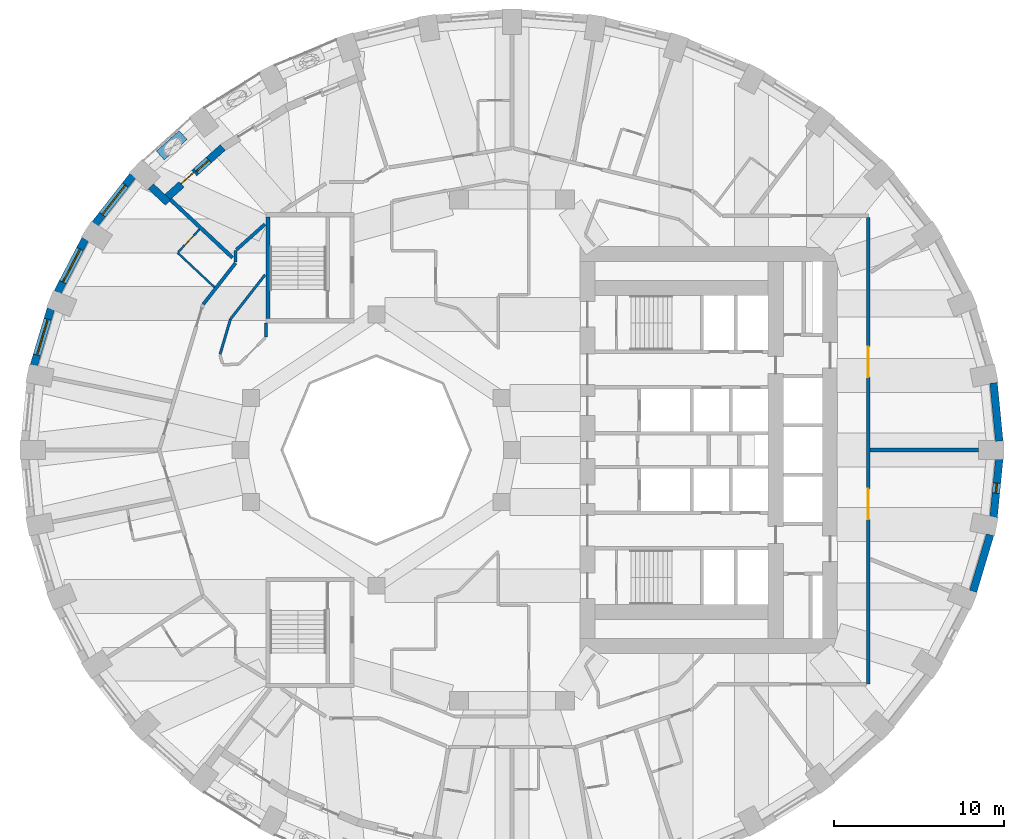
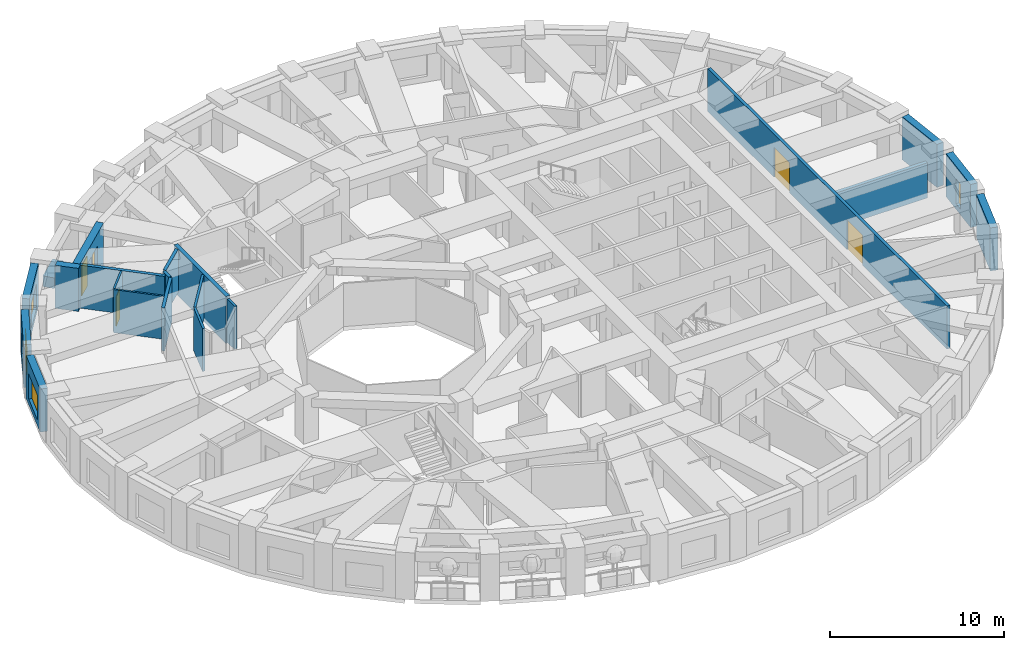
# One storey, part 7 of 13: 21 walls, 5 windows, 4 doors, 9 openings.
"""IFC4 building model written with IfcOpenShell, lengths in metres."""

import ifcopenshell
import ifcopenshell.guid

model = None  # the IFC model being written
_history = None  # IfcOwnerHistory: only IFC2X3 demands one
_inside = {}  # id of a spatial element -> (the spatial element, [elements in it])
_under = {}  # id of a project, library or spatial element -> (it, [spatial elements below it])
_declared = {}  # id of a project -> (the project, [libraries it declares])
_typed = {}  # id of a type object -> (the type object, [elements of that type])
_made_of = {}  # id of a material, layer set ... -> (it, [elements and type objects made of it])


def new_model(schema):
    """Start an empty IFC model of exactly this schema.

    Asked for "IFC4X3", IfcOpenShell would pick the latest addendum, in which some entities
    have other attributes; the version numbers below select the first issue.
    IFC2X3 requires an IfcOwnerHistory on every rooted entity: one is made here for all.
    """
    global model, _history
    if schema == "IFC4X3":
        model = ifcopenshell.file(schema_version=(4, 3, 0, 0))
    else:
        model = ifcopenshell.file(schema=schema)
    _inside.clear()
    _under.clear()
    _declared.clear()
    _typed.clear()
    _made_of.clear()
    _history = None
    if model.schema == "IFC2X3":
        org = make("IfcOrganization", Name="unknown")
        user = make(
            "IfcPersonAndOrganization",
            ThePerson=make("IfcPerson", FamilyName="unknown"),
            TheOrganization=org,
        )
        app = make(
            "IfcApplication",
            ApplicationDeveloper=org,
            Version="unknown",
            ApplicationFullName="unknown",
            ApplicationIdentifier="unknown",
        )
        _history = make(
            "IfcOwnerHistory",
            OwningUser=user,
            OwningApplication=app,
            ChangeAction="ADDED",
            CreationDate=0,
        )
    return model


def make(cls, **values):
    """One entity of the class cls with the attributes given. An attribute that is None is left unset."""
    return model.create_entity(
        cls, **{name: value for name, value in values.items() if value is not None}
    )


def rooted(cls, **values):
    """An entity with a GlobalId (a new one), such as an element, a storey or a relation."""
    return make(cls, GlobalId=ifcopenshell.guid.new(), OwnerHistory=_history, **values)


def si_unit(unit_type, name, prefix=None):
    """IfcSIUnit, for example si_unit("LENGTHUNIT", "METRE", prefix="MILLI")."""
    return make("IfcSIUnit", UnitType=unit_type, Prefix=prefix, Name=name)


def assignment(units):
    """IfcUnitAssignment: the units of a project."""
    return None if units is None else make("IfcUnitAssignment", Units=units)


def point(xyz):
    """IfcCartesianPoint."""
    return None if xyz is None else make("IfcCartesianPoint", Coordinates=xyz)


def direction(xyz):
    """IfcDirection."""
    return None if xyz is None else make("IfcDirection", DirectionRatios=xyz)


def frame(location, z_axis=None, x_axis=None):
    """IfcAxis2Placement3D, a coordinate frame: its origin and axes. An axis left out is left unset."""
    return make(
        "IfcAxis2Placement3D",
        Location=point(location),
        Axis=direction(z_axis),
        RefDirection=direction(x_axis),
    )


def frame_2d(location, x_axis=None):
    """IfcAxis2Placement2D, a coordinate frame in the plane: its origin and x axis."""
    return make(
        "IfcAxis2Placement2D", Location=point(location), RefDirection=direction(x_axis)
    )


def origin():
    """The frame at (0, 0, 0) with its axes left unset."""
    return frame((0.0, 0.0, 0.0))


def place(relative_to, where):
    """IfcLocalPlacement: puts the frame where relative to a parent placement (None: the world)."""
    return make(
        "IfcLocalPlacement", PlacementRelTo=relative_to, RelativePlacement=where
    )


def context(
    kind, dimensions, precision=None, world=None, true_north=None, identifier=None
):
    """IfcGeometricRepresentationContext, for example the 3D "Model" context."""
    return make(
        "IfcGeometricRepresentationContext",
        ContextIdentifier=identifier,
        ContextType=kind,
        CoordinateSpaceDimension=dimensions,
        Precision=precision,
        WorldCoordinateSystem=world,
        TrueNorth=true_north,
    )


def subcontext(parent, identifier, kind, view, scale=None):
    """IfcGeometricRepresentationSubContext, for example "Body" below "Model"."""
    return make(
        "IfcGeometricRepresentationSubContext",
        ContextIdentifier=identifier,
        ContextType=kind,
        ParentContext=parent,
        TargetScale=scale,
        TargetView=view,
    )


def project(units=None, contexts=None):
    """IfcProject with its units and contexts."""
    return rooted(
        "IfcProject",
        Name="project",
        RepresentationContexts=contexts,
        UnitsInContext=assignment(units),
    )


def spatial(cls, under=None, at=None, **own):
    """A site, building, storey or space (cls), placed at a placement, below another one or the project."""
    s = rooted(cls, ObjectPlacement=at, **own)
    if under is not None:
        _under.setdefault(under.id(), (under, []))[1].append(s)
    return s


def profile(cls, at=None, kind="AREA", **sizes):
    """A parametric profile (cls). Its sizes go by their IFC names, for example OverallWidth=200.0."""
    return make(cls, ProfileType=kind, Position=at, **sizes)


def rectangle(**sizes):
    """IfcRectangleProfileDef."""
    return profile("IfcRectangleProfileDef", **sizes)


def extrude(swept, where, along, depth):
    """IfcExtrudedAreaSolid: the profile swept, set in the frame where, extruded along a direction by depth."""
    return make(
        "IfcExtrudedAreaSolid",
        SweptArea=swept,
        Position=where,
        ExtrudedDirection=direction(along),
        Depth=depth,
    )


def shape(context_of_items, identifier, shape_type, items):
    """IfcShapeRepresentation: the items that make up one representation, for example the "Body"."""
    return make(
        "IfcShapeRepresentation",
        ContextOfItems=context_of_items,
        RepresentationIdentifier=identifier,
        RepresentationType=shape_type,
        Items=items,
    )


def material(Name=None, Category=None):
    """IfcMaterial."""
    return make("IfcMaterial", Name=Name, Category=Category)


def layer(
    of_material, thickness, ventilated=None, Name=None, Category=None, Priority=None
):
    """IfcMaterialLayer: one layer of a wall or slab, of a material (None: an air gap)."""
    return make(
        "IfcMaterialLayer",
        Material=of_material,
        LayerThickness=thickness,
        IsVentilated=ventilated,
        Name=Name,
        Category=Category,
        Priority=Priority,
    )


def layer_set(layers, Name=None):
    """IfcMaterialLayerSet."""
    return make("IfcMaterialLayerSet", MaterialLayers=layers, LayerSetName=Name)


def constituent(of_material, Name=None, Category=None, fraction=None):
    """IfcMaterialConstituent: one of the materials an element consists of."""
    return make(
        "IfcMaterialConstituent",
        Name=Name,
        Material=of_material,
        Fraction=fraction,
        Category=Category,
    )


def constituent_set(constituents=None, Name=None):
    """IfcMaterialConstituentSet."""
    return make(
        "IfcMaterialConstituentSet", Name=Name, MaterialConstituents=constituents
    )


def made_of(thing, what):
    """Note that an element or type object is made of a material, layer set ...; save() writes the relation."""
    if what is not None:
        _made_of.setdefault(what.id(), (what, []))[1].append(thing)
    return thing


def type_object(cls, material=None, **own):
    """A type object (cls), such as IfcWallType, which elements share."""
    return made_of(rooted(cls, **own), material)


def element(
    cls,
    number,
    at=None,
    inside=None,
    cuts=None,
    type_object=None,
    material=None,
    context=None,
    identifier="Body",
    shape_type=None,
    held_by="IfcProductDefinitionShape",
    body=None,
    shapes=None,
    **own,
):
    """One element of the class cls, such as IfcWall. Its Tag is "e" and its number.

    at: its placement. inside: the storey or other place that contains it. cuts: it is an
    opening in that element (IfcRelVoidsElement). A single representation is given by context,
    identifier, shape_type and body (its items); several are given by shapes. held_by: the class
    of the entity that holds the representations. save() writes the other relations.
    """
    e = rooted(cls, Tag="e%d" % number, ObjectPlacement=at, **own)
    if body is not None:
        shapes = [shape(context, identifier, shape_type, body)]
    if shapes is not None:
        e.Representation = make(held_by, Representations=shapes)
    if inside is not None:
        _inside.setdefault(inside.id(), (inside, []))[1].append(e)
    if cuts is not None:
        rooted(
            "IfcRelVoidsElement", RelatingBuildingElement=cuts, RelatedOpeningElement=e
        )
    if type_object is not None:
        _typed.setdefault(type_object.id(), (type_object, []))[1].append(e)
    return made_of(e, material)


def fill(opening, filler):
    """IfcRelFillsElement: the door or window that sits in an opening."""
    return rooted(
        "IfcRelFillsElement",
        RelatingOpeningElement=opening,
        RelatedBuildingElement=filler,
    )


def aggregate(whole, parts):
    """IfcRelAggregates: a whole, such as a stair, and the parts it consists of."""
    return rooted("IfcRelAggregates", RelatingObject=whole, RelatedObjects=parts)


def save(model, path):
    """Write the relations noted so far, then the file.

    IfcRelAggregates (storeys below a building ...), IfcRelContainedInSpatialStructure (elements
    in a storey), IfcRelDefinesByType, IfcRelAssociatesMaterial and IfcRelDeclares: one each for
    every whole, place, type object, material and project.
    """
    for whole, parts in _under.values():
        aggregate(whole, parts)
    for where, things in _inside.values():
        rooted(
            "IfcRelContainedInSpatialStructure",
            RelatedElements=things,
            RelatingStructure=where,
        )
    for kind, things in _typed.values():
        rooted("IfcRelDefinesByType", RelatedObjects=things, RelatingType=kind)
    for what, things in _made_of.values():
        rooted("IfcRelAssociatesMaterial", RelatedObjects=things, RelatingMaterial=what)
    for by, libraries in _declared.values():
        rooted("IfcRelDeclares", RelatingContext=by, RelatedDefinitions=libraries)
    model.write(path)


model = new_model("IFC4")

# Units and contexts
model_context = context("Model", 3, precision=1e-05, world=origin(), true_north=direction((0.0, 1.0)))
body_context = subcontext(model_context, "Body", "Model", "MODEL_VIEW")
ifc_project = project(units=[si_unit("LENGTHUNIT", "METRE"), si_unit("AREAUNIT", "SQUARE_METRE"), si_unit("VOLUMEUNIT", "CUBIC_METRE"), si_unit("PLANEANGLEUNIT", "RADIAN"), si_unit("MASSUNIT", "GRAM", prefix="KILO")], contexts=[model_context])

# Site, building, storey
site_placement = place(None, origin())
site = spatial("IfcSite", under=ifc_project, at=site_placement, CompositionType="ELEMENT")
building_placement = place(site_placement, origin())
building = spatial("IfcBuilding", under=site, at=building_placement, Name="Taillehof Tower", CompositionType="ELEMENT")
storey_placement = place(building_placement, frame((0.0, 0.0, 48.10009765625)))
storey = spatial("IfcBuildingStorey", under=building, at=storey_placement, Name="L12", CompositionType="ELEMENT", Elevation=48.10009765625)

# Wall
ifc_material_1 = material(Name="Brick masonry", Category="masonry")
ifc_layer_1 = layer(ifc_material_1, 0.449951171875)
ifc_layer_set_1 = layer_set([ifc_layer_1], Name="Brick infill wall 450")
wall_type_1 = type_object("IfcWallType", Name="Brick infill wall 450", PredefinedType="SOLIDWALL", material=ifc_layer_set_1)
wall_1_placement = place(storey_placement, frame((28.721923828125, 0.530029296875, 0.0), z_axis=(0.0, 0.0, 1.0), x_axis=(-0.097389581596, 0.995246336038, 0.0)))
element("IfcWall", 1, at=wall_1_placement, inside=storey, type_object=wall_type_1, Name="Brick wall L12 bay 1", PredefinedType="SOLIDWALL", context=body_context, shape_type="SweptSolid", body=[
    extrude(rectangle(XDim=3.44189453125, YDim=0.449951171875, at=frame_2d((1.720947265625, 0.0))), origin(), (0.0, 0.0, 1.0), 3.02001953125),
])

# Wall, opening, window
wall_2_placement = place(storey_placement, frame((-22.3515625, 16.169677734375, 0.0), z_axis=(0.0, 0.0, 1.0), x_axis=(-0.616661975264, -0.787228053529, 0.0)))
wall_2 = element("IfcWall", 2, at=wall_2_placement, inside=storey, type_object=wall_type_1, Name="Brick wall L12 bay 15", PredefinedType="SOLIDWALL", context=body_context, shape_type="SweptSolid", body=[
    extrude(rectangle(XDim=3.60986328125, YDim=0.449951171875, at=frame_2d((1.804931640625, 0.0))), origin(), (0.0, 0.0, 1.0), 3.02001953125),
])
opening_1_placement = place(wall_2_placement, frame((0.704833984375, 0.0, 0.39990234375)))
opening_1 = element("IfcOpeningElement", 3, at=opening_1_placement, cuts=wall_2, Name="Opening W1", PredefinedType="OPENING", context=body_context, shape_type="SweptSolid", body=[
    extrude(rectangle(XDim=2.199951171875, YDim=1.75, at=frame_2d((1.10009765625, 0.875))), frame((0.0, 0.23486328125, 0.0), z_axis=(0.0, -1.0, 0.0), x_axis=(1.0, 0.0, 0.0)), (0.0, 0.0, 1.0), 0.469970703125),
])
ifc_material_2 = material(Name="Aluminium window frame with clear double glazing", Category="aluminium")
window_type_1 = type_object("IfcWindowType", Name="Deep-set window 2200x1750", PartitioningType="SINGLE_PANEL", PredefinedType="WINDOW", material=ifc_material_2)
window_1_placement = place(opening_1_placement, origin())
window_1 = element("IfcWindow", 4, at=window_1_placement, inside=storey, type_object=window_type_1, Name="W1", OverallHeight=1.75, OverallWidth=2.199951171875, PartitioningType="SINGLE_PANEL", PredefinedType="WINDOW", context=body_context, shape_type="SweptSolid", body=[
    extrude(rectangle(XDim=2.199951171875, YDim=1.75, at=frame_2d((1.10009765625, 0.875))), frame((0.0, 0.034912109375, 0.0), z_axis=(0.0, -1.0, 0.0), x_axis=(1.0, 0.0, 0.0)), (0.0, 0.0, 1.0), 0.06005859375),
])
fill(opening_1, window_1)

wall_3_placement = place(storey_placement, frame((-25.152099609375, 12.436767578125, 0.0), z_axis=(0.0, 0.0, 1.0), x_axis=(-0.462492775226, -0.886623050041, 0.0)))
wall_3 = element("IfcWall", 5, at=wall_3_placement, inside=storey, type_object=wall_type_1, Name="Brick wall L12 bay 16", PredefinedType="SOLIDWALL", context=body_context, shape_type="SweptSolid", body=[
    extrude(rectangle(XDim=3.531982421875, YDim=0.449951171875, at=frame_2d((1.76611328125, 0.0))), origin(), (0.0, 0.0, 1.0), 3.02001953125),
])
opening_2_placement = place(wall_3_placement, frame((0.666015625, 0.0, 0.39990234375)))
opening_2 = element("IfcOpeningElement", 6, at=opening_2_placement, cuts=wall_3, Name="Opening W1", PredefinedType="OPENING", context=body_context, shape_type="SweptSolid", body=[
    extrude(rectangle(XDim=2.199951171875, YDim=1.75, at=frame_2d((1.10009765625, 0.875))), frame((0.0, 0.23486328125, 0.0), z_axis=(0.0, -1.0, 0.0), x_axis=(1.0, 0.0, 0.0)), (0.0, 0.0, 1.0), 0.469970703125),
])
window_2_placement = place(opening_2_placement, origin())
window_2 = element("IfcWindow", 7, at=window_2_placement, inside=storey, type_object=window_type_1, Name="W1", OverallHeight=1.75, OverallWidth=2.199951171875, PartitioningType="SINGLE_PANEL", PredefinedType="WINDOW", context=body_context, shape_type="SweptSolid", body=[
    extrude(rectangle(XDim=2.199951171875, YDim=1.75, at=frame_2d((1.10009765625, 0.875))), frame((0.0, 0.034912109375, 0.0), z_axis=(0.0, -1.0, 0.0), x_axis=(1.0, 0.0, 0.0)), (0.0, 0.0, 1.0), 0.06005859375),
])
fill(opening_2, window_2)

wall_4_placement = place(storey_placement, frame((-27.184814453125, 8.322998046875, 0.0), z_axis=(0.0, 0.0, 1.0), x_axis=(-0.287064133733, -0.957911364963, 0.0)))
wall_4 = element("IfcWall", 8, at=wall_4_placement, inside=storey, type_object=wall_type_1, Name="Brick wall L12 bay 17", PredefinedType="SOLIDWALL", context=body_context, shape_type="SweptSolid", body=[
    extrude(rectangle(XDim=3.473388671875, YDim=0.449951171875, at=frame_2d((1.73681640625, 0.0))), origin(), (0.0, 0.0, 1.0), 3.02001953125),
])
opening_3_placement = place(wall_4_placement, frame((0.63671875, 0.0, 0.39990234375)))
opening_3 = element("IfcOpeningElement", 9, at=opening_3_placement, cuts=wall_4, Name="Opening W1", PredefinedType="OPENING", context=body_context, shape_type="SweptSolid", body=[
    extrude(rectangle(XDim=2.199951171875, YDim=1.75, at=frame_2d((1.10009765625, 0.875))), frame((0.0, 0.23486328125, 0.0), z_axis=(0.0, -1.0, 0.0), x_axis=(1.0, 0.0, 0.0)), (0.0, 0.0, 1.0), 0.469970703125),
])
window_3_placement = place(opening_3_placement, origin())
window_3 = element("IfcWindow", 10, at=window_3_placement, inside=storey, type_object=window_type_1, Name="W1", OverallHeight=1.75, OverallWidth=2.199951171875, PartitioningType="SINGLE_PANEL", PredefinedType="WINDOW", context=body_context, shape_type="SweptSolid", body=[
    extrude(rectangle(XDim=2.199951171875, YDim=1.75, at=frame_2d((1.10009765625, 0.875))), frame((0.0, 0.034912109375, 0.0), z_axis=(0.0, -1.0, 0.0), x_axis=(1.0, 0.0, 0.0)), (0.0, 0.0, 1.0), 0.06005859375),
])
fill(opening_3, window_3)

# Wall
wall_5_placement = place(storey_placement, frame((27.184814453125, -8.322998046875, 0.0), z_axis=(0.0, 0.0, 1.0), x_axis=(0.287064133733, 0.957911364963, 0.0)))
element("IfcWall", 11, at=wall_5_placement, inside=storey, type_object=wall_type_1, Name="Brick wall L12 bay 35", PredefinedType="SOLIDWALL", context=body_context, shape_type="SweptSolid", body=[
    extrude(rectangle(XDim=3.473388671875, YDim=0.449951171875, at=frame_2d((1.73681640625, 0.0))), origin(), (0.0, 0.0, 1.0), 3.02001953125),
])

# Wall, opening, window
wall_6_placement = place(storey_placement, frame((28.38671875, -3.95556640625, 0.0), z_axis=(0.0, 0.0, 1.0), x_axis=(0.097389581596, 0.995246336038, 0.0)))
wall_6 = element("IfcWall", 12, at=wall_6_placement, inside=storey, type_object=wall_type_1, Name="Brick wall L12 bay 36", PredefinedType="SOLIDWALL", context=body_context, shape_type="SweptSolid", body=[
    extrude(rectangle(XDim=3.44189453125, YDim=0.449951171875, at=frame_2d((1.720947265625, 0.0))), origin(), (0.0, 0.0, 1.0), 3.02001953125),
])
opening_4_placement = place(wall_6_placement, frame((1.4208984375, 0.0, 0.39990234375)))
opening_4 = element("IfcOpeningElement", 13, at=opening_4_placement, cuts=wall_6, Name="Opening W6", PredefinedType="OPENING", context=body_context, shape_type="SweptSolid", body=[
    extrude(rectangle(XDim=0.60009765625, YDim=1.75, at=frame_2d((0.300048828125, 0.875))), frame((0.0, 0.23486328125, 0.0), z_axis=(0.0, -1.0, 0.0), x_axis=(1.0, 0.0, 0.0)), (0.0, 0.0, 1.0), 0.469970703125),
])
ifc_material_3 = material(Name="Aluminium window frame with clear double glazing", Category="aluminium")
window_type_2 = type_object("IfcWindowType", Name="Slot window 600x1750", PartitioningType="SINGLE_PANEL", PredefinedType="WINDOW", material=ifc_material_3)
window_4_placement = place(opening_4_placement, origin())
window_4 = element("IfcWindow", 14, at=window_4_placement, inside=storey, type_object=window_type_2, Name="W6", OverallHeight=1.75, OverallWidth=0.60009765625, PartitioningType="SINGLE_PANEL", PredefinedType="WINDOW", context=body_context, shape_type="SweptSolid", body=[
    extrude(rectangle(XDim=0.60009765625, YDim=1.75, at=frame_2d((0.300048828125, 0.875))), frame((0.0, 0.034912109375, 0.0), z_axis=(0.0, -1.0, 0.0), x_axis=(1.0, 0.0, 0.0)), (0.0, 0.0, 1.0), 0.06005859375),
])
fill(opening_4, window_4)

# Wall
wall_7_placement = place(storey_placement, frame((-21.289306640625, 15.53759765625, 0.0), z_axis=(0.0, 0.0, 1.0), x_axis=(0.730149942784, -0.683286953668, 0.0)))
element("IfcWall", 15, at=wall_7_placement, inside=storey, type_object=wall_type_1, Name="Brick reveal L12 pocket 3", PredefinedType="SOLIDWALL", context=body_context, shape_type="SweptSolid", body=[
    extrude(rectangle(XDim=1.390869140625, YDim=0.449951171875, at=frame_2d((0.6953125, 0.0))), origin(), (0.0, 0.0, 1.0), 3.02001953125),
])

# Wall, openings, door, window
wall_8_placement = place(storey_placement, frame((-17.0478515625, 17.831787109375, 0.0), z_axis=(0.0, 0.0, 1.0), x_axis=(-0.744619286768, -0.667489413978, 0.0)))
wall_8 = element("IfcWall", 16, at=wall_8_placement, inside=storey, type_object=wall_type_1, Name="Brick wall L12 pocket bay 14", PredefinedType="SOLIDWALL", context=body_context, shape_type="SweptSolid", body=[
    extrude(rectangle(XDim=4.364990234375, YDim=0.449951171875, at=frame_2d((2.1826171875, 0.0))), origin(), (0.0, 0.0, 1.0), 3.02001953125),
])
opening_5_placement = place(wall_8_placement, frame((1.107421875, 0.0, 0.39990234375)))
opening_5 = element("IfcOpeningElement", 17, at=opening_5_placement, cuts=wall_8, Name="Opening W5", PredefinedType="OPENING", context=body_context, shape_type="SweptSolid", body=[
    extrude(rectangle(XDim=1.0, YDim=1.75, at=frame_2d((0.5, 0.875))), frame((0.0, 0.23486328125, 0.0), z_axis=(0.0, -1.0, 0.0), x_axis=(1.0, 0.0, 0.0)), (0.0, 0.0, 1.0), 0.469970703125),
])
opening_6_placement = place(wall_8_placement, frame((2.257568359375, 0.0, 0.0)))
opening_6 = element("IfcOpeningElement", 18, at=opening_6_placement, cuts=wall_8, Name="Opening D1296", PredefinedType="OPENING", context=body_context, shape_type="SweptSolid", body=[
    extrude(rectangle(XDim=1.0, YDim=2.14990234375, at=frame_2d((0.5, 1.074951171875))), frame((0.0, 0.23486328125, 0.0), z_axis=(0.0, -1.0, 0.0), x_axis=(1.0, 0.0, 0.0)), (0.0, 0.0, 1.0), 0.469970703125),
])
ifc_material_4 = material(Name="Aluminium door frame with clear double glazing", Category="aluminium")
door_type_1 = type_object("IfcDoorType", Name="Balcony door 1000x2150", OperationType="SINGLE_SWING_RIGHT", PredefinedType="DOOR", material=ifc_material_4)
door_1_placement = place(opening_6_placement, frame((1.0, 0.0, 0.0), z_axis=(0.0, 0.0, 1.0), x_axis=(-1.0, 0.0, 0.0)))
door_1 = element("IfcDoor", 19, at=door_1_placement, inside=storey, type_object=door_type_1, Name="Balcony door L12 bay 14", OperationType="SINGLE_SWING_LEFT", OverallHeight=2.14990234375, OverallWidth=1.0, PredefinedType="DOOR", context=body_context, shape_type="SweptSolid", body=[
    extrude(rectangle(XDim=1.0, YDim=2.14990234375, at=frame_2d((0.5, 1.074951171875))), frame((0.0, 0.0751953125, 0.0), z_axis=(0.0, -1.0, 0.0), x_axis=(1.0, 0.0, 0.0)), (0.0, 0.0, 1.0), 0.050048828125),
])
fill(opening_6, door_1)
ifc_material_5 = material(Name="Aluminium window frame with clear double glazing", Category="aluminium")
window_type_3 = type_object("IfcWindowType", Name="Fixed window 1000x1750", PartitioningType="SINGLE_PANEL", PredefinedType="WINDOW", material=ifc_material_5)
window_5_placement = place(opening_5_placement, origin())
window_5 = element("IfcWindow", 20, at=window_5_placement, inside=storey, type_object=window_type_3, Name="W5", OverallHeight=1.75, OverallWidth=1.0, PartitioningType="SINGLE_PANEL", PredefinedType="WINDOW", context=body_context, shape_type="SweptSolid", body=[
    extrude(rectangle(XDim=1.0, YDim=1.75, at=frame_2d((0.5, 0.875))), frame((0.0, 0.034912109375, 0.0), z_axis=(0.0, -1.0, 0.0), x_axis=(1.0, 0.0, 0.0)), (0.0, 0.0, 1.0), 0.06005859375),
])
fill(opening_5, window_5)

# Walls
ifc_material_6 = material(Name="Gypsum board on steel studs, two layers each side", Category="steel")
ifc_layer_2 = layer(ifc_material_6, 0.199951171875)
ifc_layer_set_2 = layer_set([ifc_layer_2], Name="Compartment wall corridor 200")
wall_type_2 = type_object("IfcWallType", Name="Compartment wall corridor 200", PredefinedType="PARTITIONING", material=ifc_layer_set_2)
wall_9_placement = place(storey_placement, frame((-18.196044921875, 8.592041015625, 0.0), z_axis=(0.0, 0.0, 1.0), x_axis=(0.615854849191, 0.787859635168, 0.0)))
element("IfcWall", 21, at=wall_9_placement, inside=storey, type_object=wall_type_2, Name="Compartment wall", PredefinedType="PARTITIONING", context=body_context, shape_type="SweptSolid", body=[
    extrude(rectangle(XDim=3.07861328125, YDim=0.199951171875, at=frame_2d((1.539306640625, 0.0))), origin(), (0.0, 0.0, 1.0), 3.02001953125),
])
wall_10_placement = place(storey_placement, frame((-16.300048828125, 11.07763671875, 0.0), z_axis=(0.0, 0.0, 1.0), x_axis=(0.0, 1.0, 0.0)))
element("IfcWall", 22, at=wall_10_placement, inside=storey, type_object=wall_type_2, Name="Compartment wall", PredefinedType="PARTITIONING", context=body_context, shape_type="SweptSolid", body=[
    extrude(rectangle(XDim=0.676025390625, YDim=0.199951171875, at=frame_2d((0.337890625, 0.0))), origin(), (0.0, 0.0, 1.0), 3.02001953125),
])
wall_11_placement = place(storey_placement, frame((-16.240478515625, 11.807373046875, 0.0), z_axis=(0.0, 0.0, 1.0), x_axis=(0.744658399013, 0.667445779655, 0.0)))
element("IfcWall", 23, at=wall_11_placement, inside=storey, type_object=wall_type_2, Name="Compartment wall", PredefinedType="PARTITIONING", context=body_context, shape_type="SweptSolid", body=[
    extrude(rectangle(XDim=2.257568359375, YDim=0.199951171875, at=frame_2d((1.12890625, 0.0))), origin(), (0.0, 0.0, 1.0), 3.02001953125),
])

# Wall, openings, doors
wall_12_placement = place(storey_placement, frame((21.0, 13.699951171875, 0.0), z_axis=(0.0, 0.0, 1.0), x_axis=(0.0, -1.0, 0.0)))
wall_12 = element("IfcWall", 24, at=wall_12_placement, inside=storey, type_object=wall_type_2, Name="Compartment wall", PredefinedType="PARTITIONING", context=body_context, shape_type="SweptSolid", body=[
    extrude(rectangle(XDim=27.5, YDim=0.199951171875, at=frame_2d((13.75, 0.0))), origin(), (0.0, 0.0, 1.0), 3.02001953125),
])
opening_7_placement = place(wall_12_placement, frame((15.992431640625, 0.0, 0.0)))
opening_7 = element("IfcOpeningElement", 25, at=opening_7_placement, cuts=wall_12, Name="Opening D1267", PredefinedType="OPENING", context=body_context, shape_type="SweptSolid", body=[
    extrude(rectangle(XDim=1.800048828125, YDim=2.10009765625, at=frame_2d((0.89990234375, 1.050048828125))), frame((0.0, 0.10986328125, 0.0), z_axis=(0.0, -1.0, 0.0), x_axis=(1.0, 0.0, 0.0)), (0.0, 0.0, 1.0), 0.219970703125),
])
opening_8_placement = place(wall_12_placement, frame((7.602294921875, 0.0, 0.0)))
opening_8 = element("IfcOpeningElement", 26, at=opening_8_placement, cuts=wall_12, Name="Opening D1268", PredefinedType="OPENING", context=body_context, shape_type="SweptSolid", body=[
    extrude(rectangle(XDim=1.800048828125, YDim=2.10009765625, at=frame_2d((0.89990234375, 1.050048828125))), frame((0.0, 0.10986328125, 0.0), z_axis=(0.0, -1.0, 0.0), x_axis=(1.0, 0.0, 0.0)), (0.0, 0.0, 1.0), 0.219970703125),
])
ifc_material_7 = material(Name="Timber door leaf in steel frame", Category="steel")
door_type_2 = type_object("IfcDoorType", Name="Lounge and meeting room double door EI 30 1800 x 2100", OperationType="SINGLE_SWING_LEFT", PredefinedType="DOOR", material=ifc_material_7)
door_2_placement = place(opening_7_placement, origin())
door_2 = element("IfcDoor", 27, at=door_2_placement, inside=storey, type_object=door_type_2, Name="D1267", OperationType="DOUBLE_DOOR_SINGLE_SWING", OverallHeight=2.10009765625, OverallWidth=1.800048828125, PredefinedType="DOOR", context=body_context, shape_type="SweptSolid", body=[
    extrude(rectangle(XDim=1.800048828125, YDim=2.10009765625, at=frame_2d((0.89990234375, 1.050048828125))), frame((0.0, 0.02490234375, 0.0), z_axis=(0.0, -1.0, 0.0), x_axis=(1.0, 0.0, 0.0)), (0.0, 0.0, 1.0), 0.050048828125),
])
fill(opening_7, door_2)
door_3_placement = place(opening_8_placement, origin())
door_3 = element("IfcDoor", 28, at=door_3_placement, inside=storey, type_object=door_type_2, Name="D1268", OperationType="DOUBLE_DOOR_SINGLE_SWING", OverallHeight=2.10009765625, OverallWidth=1.800048828125, PredefinedType="DOOR", context=body_context, shape_type="SweptSolid", body=[
    extrude(rectangle(XDim=1.800048828125, YDim=2.10009765625, at=frame_2d((0.89990234375, 1.050048828125))), frame((0.0, 0.02490234375, 0.0), z_axis=(0.0, -1.0, 0.0), x_axis=(1.0, 0.0, 0.0)), (0.0, 0.0, 1.0), 0.050048828125),
])
fill(opening_8, door_3)

# Walls
ifc_material_8 = material(Name="Gypsum board on double steel studs with mineral wool", Category="steel")
ifc_layer_3 = layer(ifc_material_8, 0.219970703125)
ifc_layer_set_3 = layer_set([ifc_layer_3], Name="Compartment wall guest room 220")
wall_type_3 = type_object("IfcWallType", Name="Compartment wall guest room 220", PredefinedType="PARTITIONING", material=ifc_layer_set_3)
wall_13_placement = place(storey_placement, frame((27.5, 0.0, 0.0), z_axis=(0.0, 0.0, 1.0), x_axis=(-1.0, 0.0, 0.0)))
element("IfcWall", 29, at=wall_13_placement, inside=storey, type_object=wall_type_3, Name="Compartment wall", PredefinedType="PARTITIONING", context=body_context, shape_type="SweptSolid", body=[
    extrude(rectangle(XDim=6.39990234375, YDim=0.219970703125, at=frame_2d((3.199951171875, 0.0))), origin(), (0.0, 0.0, 1.0), 2.469970703125),
])
wall_14_placement = place(storey_placement, frame((-20.13330078125, 14.763916015625, 0.0), z_axis=(0.0, 0.0, 1.0), x_axis=(0.73007309337, -0.683369064516, 0.0)))
element("IfcWall", 30, at=wall_14_placement, inside=storey, type_object=wall_type_3, Name="Compartment wall", PredefinedType="PARTITIONING", context=body_context, shape_type="SweptSolid", body=[
    extrude(rectangle(XDim=5.01318359375, YDim=0.219970703125, at=frame_2d((2.506591796875, 0.0))), origin(), (0.0, 0.0, 1.0), 3.02001953125),
])
ifc_material_9 = material(Name="Gypsum board on steel studs, two layers each side", Category="steel")
ifc_layer_4 = layer(ifc_material_9, 0.14990234375)
ifc_layer_set_4 = layer_set([ifc_layer_4], Name="Compartment wall service room 150")
wall_type_4 = type_object("IfcWallType", Name="Compartment wall service room 150", PredefinedType="PARTITIONING", material=ifc_layer_set_4)
wall_15_placement = place(storey_placement, frame((-14.5, 7.5009765625, 0.0), z_axis=(0.0, 0.0, 1.0), x_axis=(0.0, -1.0, 0.0)))
element("IfcWall", 31, at=wall_15_placement, inside=storey, type_object=wall_type_4, Name="Compartment wall", PredefinedType="PARTITIONING", context=body_context, shape_type="SweptSolid", body=[
    extrude(rectangle(XDim=0.848876953125, YDim=0.14990234375, at=frame_2d((0.42431640625, 0.0))), origin(), (0.0, 0.0, 1.0), 3.02001953125),
])
wall_16_placement = place(storey_placement, frame((-17.2060546875, 5.64453125, 0.0), z_axis=(0.0, 0.0, 1.0), x_axis=(0.282930600638, 0.95914038348, 0.0)))
element("IfcWall", 32, at=wall_16_placement, inside=storey, type_object=wall_type_4, Name="Compartment wall", PredefinedType="PARTITIONING", context=body_context, shape_type="SweptSolid", body=[
    extrude(rectangle(XDim=2.16162109375, YDim=0.14990234375, at=frame_2d((1.080810546875, 0.0))), origin(), (0.0, 0.0, 1.0), 3.02001953125),
])
wall_17_placement = place(storey_placement, frame((-16.582275390625, 7.733642578125, 0.0), z_axis=(0.0, 0.0, 1.0), x_axis=(0.615848335932, 0.787864726416, 0.0)))
element("IfcWall", 33, at=wall_17_placement, inside=storey, type_object=wall_type_4, Name="Compartment wall", PredefinedType="PARTITIONING", context=body_context, shape_type="SweptSolid", body=[
    extrude(rectangle(XDim=3.292724609375, YDim=0.14990234375, at=frame_2d((1.646484375, 0.0))), origin(), (0.0, 0.0, 1.0), 3.02001953125),
])
ifc_material_10 = material(Name="Gypsum board on steel studs, moisture resistant", Category="steel")
ifc_layer_5 = layer(ifc_material_10, 0.1201171875)
ifc_layer_set_5 = layer_set([ifc_layer_5], Name="En-suite wall 120")
wall_type_5 = type_object("IfcWallType", Name="En-suite wall 120", PredefinedType="PARTITIONING", material=ifc_layer_set_5)
wall_18_placement = place(storey_placement, frame((-17.5380859375, 9.595703125, 0.0), z_axis=(0.0, 0.0, 1.0), x_axis=(-0.730099766179, 0.683340567671, 0.0)))
element("IfcWall", 34, at=wall_18_placement, inside=storey, type_object=wall_type_5, Name="En-suite wall", PredefinedType="PARTITIONING", context=body_context, shape_type="SweptSolid", body=[
    extrude(rectangle(XDim=2.97607421875, YDim=0.1201171875, at=frame_2d((1.488037109375, 0.0))), origin(), (0.0, 0.0, 1.0), 3.02001953125),
])

# Wall, opening, door
wall_19_placement = place(storey_placement, frame((-19.669921875, 11.67333984375, 0.0), z_axis=(0.0, 0.0, 1.0), x_axis=(0.683372850006, 0.730069550026, 0.0)))
wall_19 = element("IfcWall", 35, at=wall_19_placement, inside=storey, type_object=wall_type_5, Name="En-suite wall", PredefinedType="PARTITIONING", context=body_context, shape_type="SweptSolid", body=[
    extrude(rectangle(XDim=1.829833984375, YDim=0.1201171875, at=frame_2d((0.9150390625, 0.0))), origin(), (0.0, 0.0, 1.0), 3.02001953125),
])
opening_9_placement = place(wall_19_placement, frame((0.539794921875, 0.0, 0.0)))
opening_9 = element("IfcOpeningElement", 36, at=opening_9_placement, cuts=wall_19, Name="Opening D1249", PredefinedType="OPENING", context=body_context, shape_type="SweptSolid", body=[
    extrude(rectangle(XDim=0.800048828125, YDim=2.10009765625, at=frame_2d((0.39990234375, 1.050048828125))), frame((0.0, 0.070068359375, 0.0), z_axis=(0.0, -1.0, 0.0), x_axis=(1.0, 0.0, 0.0)), (0.0, 0.0, 1.0), 0.14013671875),
])
ifc_material_11 = material(Name="Timber door leaf in steel frame", Category="steel")
door_type_3 = type_object("IfcDoorType", Name="En-suite door 800 x 2100", OperationType="SINGLE_SWING_LEFT", PredefinedType="DOOR", material=ifc_material_11)
door_4_placement = place(opening_9_placement, origin())
door_4 = element("IfcDoor", 37, at=door_4_placement, inside=storey, type_object=door_type_3, Name="D1249", OperationType="SINGLE_SWING_RIGHT", OverallHeight=2.10009765625, OverallWidth=0.800048828125, PredefinedType="DOOR", context=body_context, shape_type="SweptSolid", body=[
    extrude(rectangle(XDim=0.800048828125, YDim=2.10009765625, at=frame_2d((0.39990234375, 1.050048828125))), frame((0.0, 0.02490234375, 0.0), z_axis=(0.0, -1.0, 0.0), x_axis=(1.0, 0.0, 0.0)), (0.0, 0.0, 1.0), 0.050048828125),
])
fill(opening_9, door_4)

# Walls
ifc_material_12 = material(Name="Concrete C30/37 precast", Category="concrete")
ifc_constituent_1 = constituent(ifc_material_12, Name="Structure", Category="concrete")
ifc_material_13 = material(Name="Insulated lining")
ifc_constituent_2 = constituent(ifc_material_13, Name="Lining")
ifc_constituent_set = constituent_set(constituents=[ifc_constituent_1, ifc_constituent_2], Name="Planter trough 700x750")
wall_type_6 = type_object("IfcWallType", Name="Planter trough 700x750", PredefinedType="USERDEFINED", material=ifc_constituent_set)
wall_20_placement = place(storey_placement, frame((-19.387939453125, 18.562255859375, 0.0), z_axis=(0.0, 0.0, 1.0), x_axis=(-0.745535653445, -0.666465745139, 0.0)))
element("IfcWall", 38, at=wall_20_placement, inside=storey, type_object=wall_type_6, Name="Planter L12 bay 14", ObjectType="PLANTER", PredefinedType="USERDEFINED", context=body_context, shape_type="SweptSolid", body=[
    extrude(rectangle(XDim=1.800048828125, YDim=0.699951171875, at=frame_2d((0.89990234375, 0.0))), origin(), (0.0, 0.0, 1.0), 0.75),
])
ifc_material_14 = material(Name="Concrete C50/60", Category="concrete")
ifc_layer_6 = layer(ifc_material_14, 0.25)
ifc_layer_set_6 = layer_set([ifc_layer_6], Name="Stair wall C50/60 250")
wall_type_7 = type_object("IfcWallType", Name="Stair wall C50/60 250", PredefinedType="SHEAR", material=ifc_layer_set_6)
wall_21_placement = place(storey_placement, frame((-14.375, 7.75, -0.280029296875), z_axis=(0.0, 0.0, 1.0), x_axis=(0.0, 1.0, 0.0)))
element("IfcWall", 39, at=wall_21_placement, inside=storey, type_object=wall_type_7, Name="Stair wall SC", PredefinedType="SHEAR", context=body_context, shape_type="SweptSolid", body=[
    extrude(rectangle(XDim=6.0, YDim=0.25, at=frame_2d((3.0, 0.0))), origin(), (0.0, 0.0, 1.0), 3.300048828125),
])

save(model, "model.ifc")
